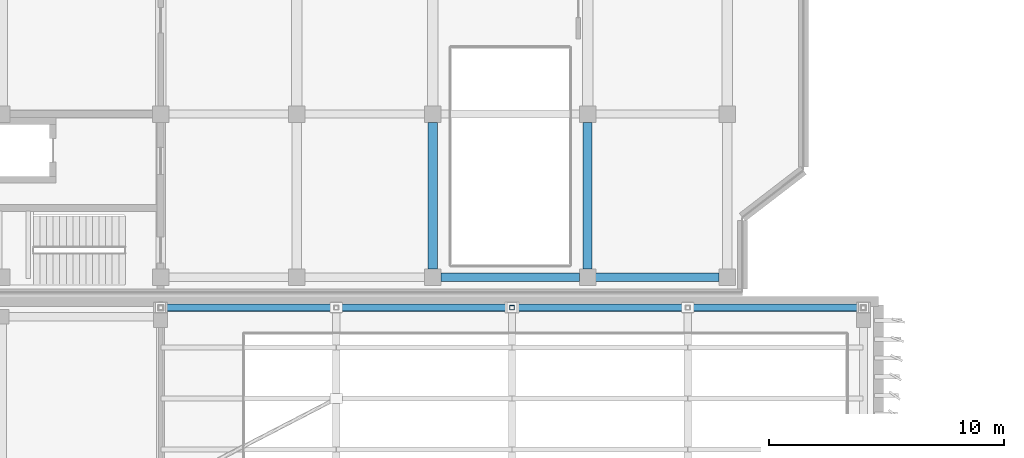
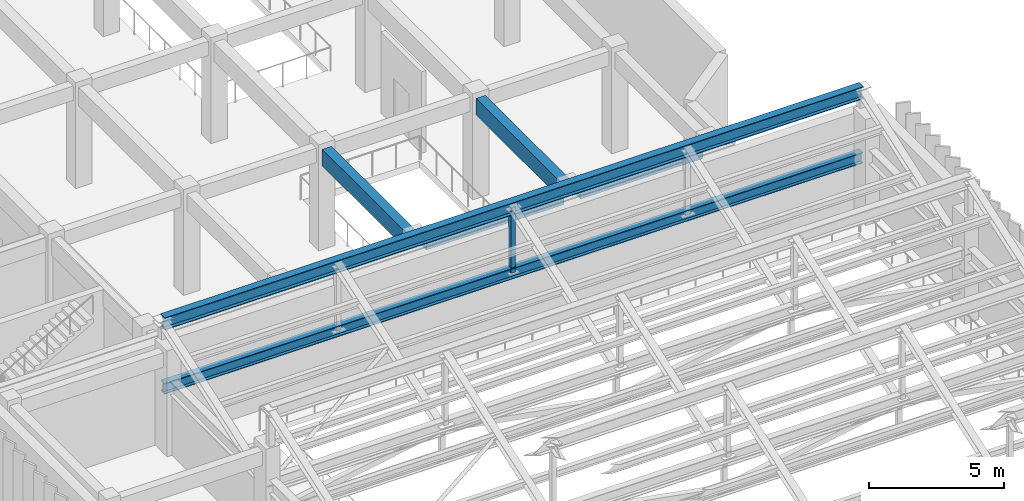
# One storey, part 14 of 76: 4 beams, 3 members.
"""IFC4 building model written with IfcOpenShell, lengths in metres."""

import ifcopenshell
import ifcopenshell.guid

model = None  # the IFC model being written
_history = None  # IfcOwnerHistory: only IFC2X3 demands one
_inside = {}  # id of a spatial element -> (the spatial element, [elements in it])
_under = {}  # id of a project, library or spatial element -> (it, [spatial elements below it])
_declared = {}  # id of a project -> (the project, [libraries it declares])
_typed = {}  # id of a type object -> (the type object, [elements of that type])
_made_of = {}  # id of a material, layer set ... -> (it, [elements and type objects made of it])


def new_model(schema):
    """Start an empty IFC model of exactly this schema.

    Asked for "IFC4X3", IfcOpenShell would pick the latest addendum, in which some entities
    have other attributes; the version numbers below select the first issue.
    IFC2X3 requires an IfcOwnerHistory on every rooted entity: one is made here for all.
    """
    global model, _history
    if schema == "IFC4X3":
        model = ifcopenshell.file(schema_version=(4, 3, 0, 0))
    else:
        model = ifcopenshell.file(schema=schema)
    _inside.clear()
    _under.clear()
    _declared.clear()
    _typed.clear()
    _made_of.clear()
    _history = None
    if model.schema == "IFC2X3":
        org = make("IfcOrganization", Name="unknown")
        user = make(
            "IfcPersonAndOrganization",
            ThePerson=make("IfcPerson", FamilyName="unknown"),
            TheOrganization=org,
        )
        app = make(
            "IfcApplication",
            ApplicationDeveloper=org,
            Version="unknown",
            ApplicationFullName="unknown",
            ApplicationIdentifier="unknown",
        )
        _history = make(
            "IfcOwnerHistory",
            OwningUser=user,
            OwningApplication=app,
            ChangeAction="ADDED",
            CreationDate=0,
        )
    return model


def make(cls, **values):
    """One entity of the class cls with the attributes given. An attribute that is None is left unset."""
    return model.create_entity(
        cls, **{name: value for name, value in values.items() if value is not None}
    )


def rooted(cls, **values):
    """An entity with a GlobalId (a new one), such as an element, a storey or a relation."""
    return make(cls, GlobalId=ifcopenshell.guid.new(), OwnerHistory=_history, **values)


def si_unit(unit_type, name, prefix=None):
    """IfcSIUnit, for example si_unit("LENGTHUNIT", "METRE", prefix="MILLI")."""
    return make("IfcSIUnit", UnitType=unit_type, Prefix=prefix, Name=name)


def assignment(units):
    """IfcUnitAssignment: the units of a project."""
    return None if units is None else make("IfcUnitAssignment", Units=units)


def point(xyz):
    """IfcCartesianPoint."""
    return None if xyz is None else make("IfcCartesianPoint", Coordinates=xyz)


def direction(xyz):
    """IfcDirection."""
    return None if xyz is None else make("IfcDirection", DirectionRatios=xyz)


def frame(location, z_axis=None, x_axis=None):
    """IfcAxis2Placement3D, a coordinate frame: its origin and axes. An axis left out is left unset."""
    return make(
        "IfcAxis2Placement3D",
        Location=point(location),
        Axis=direction(z_axis),
        RefDirection=direction(x_axis),
    )


def frame_2d(location, x_axis=None):
    """IfcAxis2Placement2D, a coordinate frame in the plane: its origin and x axis."""
    return make(
        "IfcAxis2Placement2D", Location=point(location), RefDirection=direction(x_axis)
    )


def origin():
    """The frame at (0, 0, 0) with its axes left unset."""
    return frame((0.0, 0.0, 0.0))


def origin_2d():
    """The frame at (0, 0) in the plane with its x axis left unset."""
    return frame_2d((0.0, 0.0))


def place(relative_to, where):
    """IfcLocalPlacement: puts the frame where relative to a parent placement (None: the world)."""
    return make(
        "IfcLocalPlacement", PlacementRelTo=relative_to, RelativePlacement=where
    )


def context(
    kind, dimensions, precision=None, world=None, true_north=None, identifier=None
):
    """IfcGeometricRepresentationContext, for example the 3D "Model" context."""
    return make(
        "IfcGeometricRepresentationContext",
        ContextIdentifier=identifier,
        ContextType=kind,
        CoordinateSpaceDimension=dimensions,
        Precision=precision,
        WorldCoordinateSystem=world,
        TrueNorth=true_north,
    )


def subcontext(parent, identifier, kind, view, scale=None):
    """IfcGeometricRepresentationSubContext, for example "Body" below "Model"."""
    return make(
        "IfcGeometricRepresentationSubContext",
        ContextIdentifier=identifier,
        ContextType=kind,
        ParentContext=parent,
        TargetScale=scale,
        TargetView=view,
    )


def project(units=None, contexts=None):
    """IfcProject with its units and contexts."""
    return rooted(
        "IfcProject",
        Name="project",
        RepresentationContexts=contexts,
        UnitsInContext=assignment(units),
    )


def spatial(cls, under=None, at=None, **own):
    """A site, building, storey or space (cls), placed at a placement, below another one or the project."""
    s = rooted(cls, ObjectPlacement=at, **own)
    if under is not None:
        _under.setdefault(under.id(), (under, []))[1].append(s)
    return s


def profile(cls, at=None, kind="AREA", **sizes):
    """A parametric profile (cls). Its sizes go by their IFC names, for example OverallWidth=200.0."""
    return make(cls, ProfileType=kind, Position=at, **sizes)


def rectangle(**sizes):
    """IfcRectangleProfileDef."""
    return profile("IfcRectangleProfileDef", **sizes)


def hollow_rectangle(**sizes):
    """IfcRectangleHollowProfileDef."""
    return profile("IfcRectangleHollowProfileDef", **sizes)


def i_section(**sizes):
    """IfcIShapeProfileDef."""
    return profile("IfcIShapeProfileDef", **sizes)


def extrude(swept, where, along, depth):
    """IfcExtrudedAreaSolid: the profile swept, set in the frame where, extruded along a direction by depth."""
    return make(
        "IfcExtrudedAreaSolid",
        SweptArea=swept,
        Position=where,
        ExtrudedDirection=direction(along),
        Depth=depth,
    )


def shape(context_of_items, identifier, shape_type, items):
    """IfcShapeRepresentation: the items that make up one representation, for example the "Body"."""
    return make(
        "IfcShapeRepresentation",
        ContextOfItems=context_of_items,
        RepresentationIdentifier=identifier,
        RepresentationType=shape_type,
        Items=items,
    )


def material(Name=None, Category=None):
    """IfcMaterial."""
    return make("IfcMaterial", Name=Name, Category=Category)


def material_profile(
    of_material, cross_section, Name=None, Category=None, Priority=None
):
    """IfcMaterialProfile: a cross section and its material."""
    return make(
        "IfcMaterialProfile",
        Name=Name,
        Material=of_material,
        Profile=cross_section,
        Priority=Priority,
        Category=Category,
    )


def profile_set(profiles, Name=None, composite=None):
    """IfcMaterialProfileSet."""
    return make(
        "IfcMaterialProfileSet",
        Name=Name,
        MaterialProfiles=profiles,
        CompositeProfile=composite,
    )


def made_of(thing, what):
    """Note that an element or type object is made of a material, layer set ...; save() writes the relation."""
    if what is not None:
        _made_of.setdefault(what.id(), (what, []))[1].append(thing)
    return thing


def type_object(cls, material=None, **own):
    """A type object (cls), such as IfcWallType, which elements share."""
    return made_of(rooted(cls, **own), material)


def element(
    cls,
    number,
    at=None,
    inside=None,
    cuts=None,
    type_object=None,
    material=None,
    context=None,
    identifier="Body",
    shape_type=None,
    held_by="IfcProductDefinitionShape",
    body=None,
    shapes=None,
    **own,
):
    """One element of the class cls, such as IfcWall. Its Tag is "e" and its number.

    at: its placement. inside: the storey or other place that contains it. cuts: it is an
    opening in that element (IfcRelVoidsElement). A single representation is given by context,
    identifier, shape_type and body (its items); several are given by shapes. held_by: the class
    of the entity that holds the representations. save() writes the other relations.
    """
    e = rooted(cls, Tag="e%d" % number, ObjectPlacement=at, **own)
    if body is not None:
        shapes = [shape(context, identifier, shape_type, body)]
    if shapes is not None:
        e.Representation = make(held_by, Representations=shapes)
    if inside is not None:
        _inside.setdefault(inside.id(), (inside, []))[1].append(e)
    if cuts is not None:
        rooted(
            "IfcRelVoidsElement", RelatingBuildingElement=cuts, RelatedOpeningElement=e
        )
    if type_object is not None:
        _typed.setdefault(type_object.id(), (type_object, []))[1].append(e)
    return made_of(e, material)


def aggregate(whole, parts):
    """IfcRelAggregates: a whole, such as a stair, and the parts it consists of."""
    return rooted("IfcRelAggregates", RelatingObject=whole, RelatedObjects=parts)


def save(model, path):
    """Write the relations noted so far, then the file.

    IfcRelAggregates (storeys below a building ...), IfcRelContainedInSpatialStructure (elements
    in a storey), IfcRelDefinesByType, IfcRelAssociatesMaterial and IfcRelDeclares: one each for
    every whole, place, type object, material and project.
    """
    for whole, parts in _under.values():
        aggregate(whole, parts)
    for where, things in _inside.values():
        rooted(
            "IfcRelContainedInSpatialStructure",
            RelatedElements=things,
            RelatingStructure=where,
        )
    for kind, things in _typed.values():
        rooted("IfcRelDefinesByType", RelatedObjects=things, RelatingType=kind)
    for what, things in _made_of.values():
        rooted("IfcRelAssociatesMaterial", RelatedObjects=things, RelatingMaterial=what)
    for by, libraries in _declared.values():
        rooted("IfcRelDeclares", RelatingContext=by, RelatedDefinitions=libraries)
    model.write(path)


model = new_model("IFC4")

# Units and contexts
model_context = context("Model", 3, precision=1e-05, world=origin(), true_north=direction((0.0, 1.0)))
body_context = subcontext(model_context, "Body", "Model", "MODEL_VIEW")
ifc_project = project(units=[si_unit("LENGTHUNIT", "METRE"), si_unit("AREAUNIT", "SQUARE_METRE"), si_unit("VOLUMEUNIT", "CUBIC_METRE"), si_unit("PLANEANGLEUNIT", "RADIAN"), si_unit("MASSUNIT", "GRAM", prefix="KILO")], contexts=[model_context])

# Site, building, storey
site_placement = place(None, origin())
site = spatial("IfcSite", under=ifc_project, at=site_placement, CompositionType="ELEMENT")
building_placement = place(site_placement, origin())
building = spatial("IfcBuilding", under=site, at=building_placement, Name="Cinchona Park Media Centre", CompositionType="ELEMENT")
storey_placement = place(building_placement, frame((0.0, 0.0, 15.60009765625)))
storey = spatial("IfcBuildingStorey", under=building, at=storey_placement, Name="L03", CompositionType="ELEMENT", Elevation=15.60009765625)

# Beams
ifc_material_1 = material(Name="Concrete C35/45", Category="concrete")
ifc_material_profile_1 = material_profile(ifc_material_1, rectangle(XDim=0.39990234375, YDim=0.75, at=origin_2d()), Name="RB 400X750")
ifc_profile_set_1 = profile_set([ifc_material_profile_1], Name="Concrete C35/45")
beam_type_1 = type_object("IfcBeamType", Name="BEAM-B01-RB400X750", PredefinedType="BEAM", material=ifc_profile_set_1)
for number, where, z_axis, x_axis, name in (
    (1, (27.0, 64.989990234375, 4.1748046875), (0.0, 1.0, 0.0), (-1.0, 0.0, 0.0), "Girder B01 L03"),
    (2, (33.60009765625, 64.989990234375, 4.1748046875), (0.0, 1.0, 0.0), (-1.0, 0.0, 0.0), "Girder B01 L03"),
):
    element("IfcBeam", number, at=place(storey_placement, frame(where, z_axis=z_axis, x_axis=x_axis)), inside=storey, type_object=beam_type_1, Name=name, PredefinedType="BEAM", context=body_context, shape_type="SweptSolid", body=[
        extrude(rectangle(XDim=0.39990234375, YDim=0.75, at=origin_2d()), origin(), (0.0, 0.0, 1.0), 6.260009765625),
    ])
ifc_material_2 = material(Name="Concrete C35/45", Category="concrete")
ifc_material_profile_2 = material_profile(ifc_material_2, rectangle(XDim=0.35009765625, YDim=0.64990234375, at=origin_2d()), Name="RB 350X650")
ifc_profile_set_2 = profile_set([ifc_material_profile_2], Name="Concrete C35/45")
beam_type_2 = type_object("IfcBeamType", Name="BEAM-B04-RB350X650", PredefinedType="BEAM", material=ifc_profile_set_2)
beam_1_placement = place(storey_placement, frame((27.35009765625, 64.639892578125, 4.224853515625), z_axis=(1.0, 0.0, 0.0), x_axis=(0.0, 1.0, 0.0)))
element("IfcBeam", 3, at=beam_1_placement, inside=storey, type_object=beam_type_2, Name="Beam B04 L03", PredefinedType="BEAM", context=body_context, shape_type="SweptSolid", body=[
    extrude(rectangle(XDim=0.35009765625, YDim=0.64990234375, at=origin_2d()), origin(), (0.0, 0.0, 1.0), 5.89990234375),
])
beam_2_placement = place(storey_placement, frame((33.949951171875, 64.639892578125, 4.224853515625), z_axis=(1.0, 0.0, 0.0), x_axis=(0.0, 1.0, 0.0)))
element("IfcBeam", 4, at=beam_2_placement, inside=storey, type_object=beam_type_2, Name="Beam B04 L03", PredefinedType="BEAM", context=body_context, shape_type="SweptSolid", body=[
    extrude(rectangle(XDim=0.35009765625, YDim=0.64990234375, at=origin_2d()), origin(), (0.0, 0.0, 1.0), 5.260009765625),
])

# Members
ifc_material_3 = material(Name="Steel S355", Category="steel")
ifc_material_profile_3 = material_profile(ifc_material_3, i_section(OverallWidth=0.318115234375, OverallDepth=0.56005859375, WebThickness=0.018310546875, FlangeThickness=0.029296875, at=origin_2d()), Name="W530X219")
ifc_profile_set_3 = profile_set([ifc_material_profile_3], Name="Steel S355")
member_type_1 = type_object("IfcMemberType", Name="MEMBER-TC01-W530X219", PredefinedType="CHORD", material=ifc_profile_set_3)
member_1_placement = place(storey_placement, frame((15.39990234375, 63.35009765625, 5.5), z_axis=(1.0, 0.0, 0.0), x_axis=(0.0, 1.0, 0.0)))
element("IfcMember", 5, at=member_1_placement, inside=storey, type_object=member_type_1, Name="ROOF TRUSS Ridge Chord V1 Bay 7", PredefinedType="CHORD", context=body_context, shape_type="SweptSolid", body=[
    extrude(i_section(OverallWidth=0.318115234375, OverallDepth=0.56005859375, WebThickness=0.018310546875, FlangeThickness=0.029296875, at=origin_2d()), origin(), (0.0, 0.0, 1.0), 29.960205078125),
])
ifc_material_4 = material(Name="Steel S355", Category="steel")
ifc_material_profile_4 = material_profile(ifc_material_4, i_section(OverallWidth=0.285888671875, OverallDepth=0.48193359375, WebThickness=0.0166015625, FlangeThickness=0.02685546875, at=origin_2d()), Name="W460X177")
ifc_profile_set_4 = profile_set([ifc_material_profile_4], Name="Steel S355")
member_type_2 = type_object("IfcMemberType", Name="MEMBER-TC02-W460X177", PredefinedType="CHORD", material=ifc_profile_set_4)
member_2_placement = place(storey_placement, frame((15.39990234375, 63.35009765625, 2.5498046875), z_axis=(1.0, 0.0, 0.0), x_axis=(0.0, 1.0, 0.0)))
element("IfcMember", 6, at=member_2_placement, inside=storey, type_object=member_type_2, Name="ROOF TRUSS Monitor Sill Chord V1 Bay 7", PredefinedType="CHORD", context=body_context, shape_type="SweptSolid", body=[
    extrude(i_section(OverallWidth=0.285888671875, OverallDepth=0.48193359375, WebThickness=0.0166015625, FlangeThickness=0.02685546875, at=origin_2d()), origin(), (0.0, 0.0, 1.0), 29.960205078125),
])
ifc_material_5 = material(Name="Steel S355", Category="steel")
ifc_material_profile_5 = material_profile(ifc_material_5, hollow_rectangle(XDim=0.199951171875, YDim=0.199951171875, WallThickness=0.012451171875, at=origin_2d()), Name="200X200X12.5SHS")
ifc_profile_set_5 = profile_set([ifc_material_profile_5], Name="Steel S355")
member_type_3 = type_object("IfcMemberType", Name="MEMBER-TS01-SHS200X200X12.5", PredefinedType="STRUT", material=ifc_profile_set_5)
member_3_placement = place(storey_placement, frame((30.3798828125, 63.35009765625, 2.5498046875), z_axis=(0.0, 0.0, 1.0), x_axis=(1.0, 0.0, 0.0)))
element("IfcMember", 7, at=member_3_placement, inside=storey, type_object=member_type_3, Name="ROOF TRUSS Monitor Post V1 Bay 7", PredefinedType="STRUT", context=body_context, shape_type="SweptSolid", body=[
    extrude(hollow_rectangle(XDim=0.199951171875, YDim=0.199951171875, WallThickness=0.012451171875, at=origin_2d()), origin(), (0.0, 0.0, 1.0), 2.9501953125),
])

save(model, "model.ifc")
